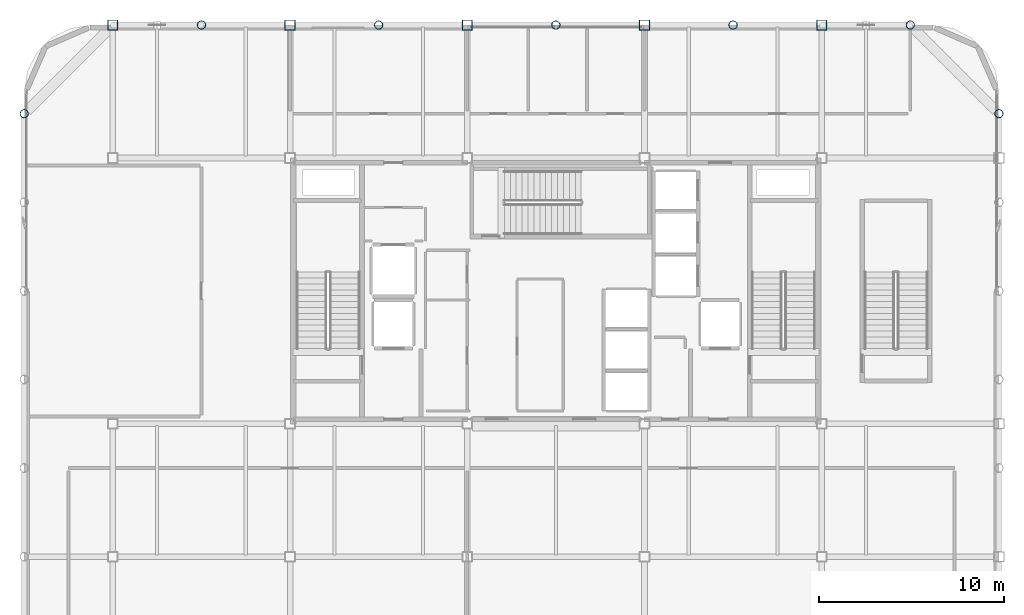
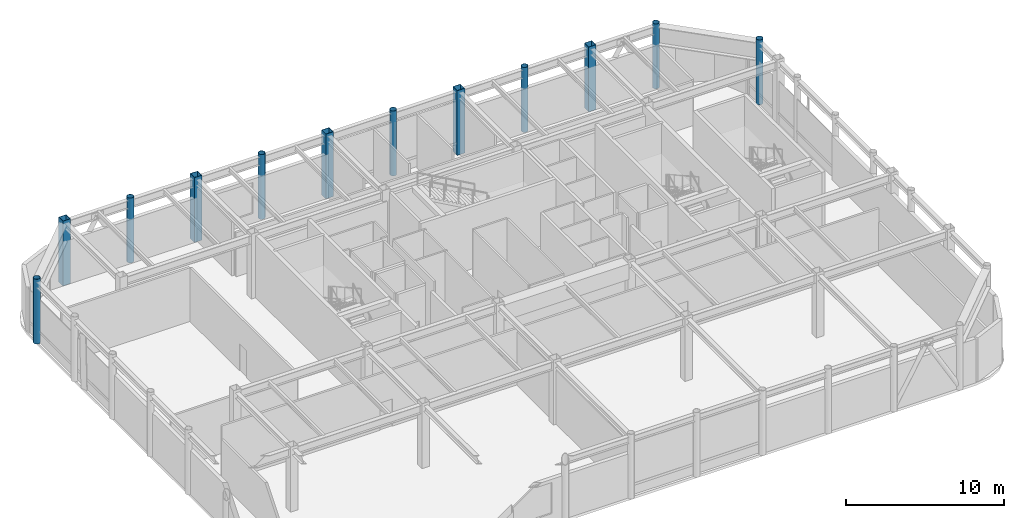
# One storey, part 3 of 21: 12 columns.
"""IFC4 building model written with IfcOpenShell, lengths in metres."""

from ifc_helpers import new_model, si_unit, direction, frame, origin, origin_2d, place, context, subcontext, project, spatial, hollow_rectangle, hollow_circle, extrude, material, material_profile, profile_set, type_object, element, save


model = new_model("IFC4")

# Units and contexts
model_context = context("Model", 3, precision=1e-05, world=origin(), true_north=direction((0.0, 1.0)))
body_context = subcontext(model_context, "Body", "Model", "MODEL_VIEW")
ifc_project = project(units=[si_unit("LENGTHUNIT", "METRE"), si_unit("AREAUNIT", "SQUARE_METRE"), si_unit("VOLUMEUNIT", "CUBIC_METRE"), si_unit("PLANEANGLEUNIT", "RADIAN"), si_unit("MASSUNIT", "GRAM", prefix="KILO")], contexts=[model_context])

# Site, building, storey
site_placement = place(None, origin())
site = spatial("IfcSite", under=ifc_project, at=site_placement, CompositionType="ELEMENT")
building_placement = place(site_placement, origin())
building = spatial("IfcBuilding", under=site, at=building_placement, Name="Kallvorn Hotel Tower", CompositionType="ELEMENT")
storey_placement = place(building_placement, frame((0.0, 0.0, 290.60009765625)))
storey = spatial("IfcBuildingStorey", under=building, at=storey_placement, Name="L72", CompositionType="ELEMENT", Elevation=290.60009765625)

# Columns
ifc_material_1 = material(Name="Structural steel S355J2H", Category="steel")
ifc_material_profile_1 = material_profile(ifc_material_1, hollow_circle(Radius=0.228515625, WallThickness=0.02001953125, at=origin_2d()), Name="CHS 457x20")
ifc_profile_set_1 = profile_set([ifc_material_profile_1], Name="Structural steel S355J2H")
column_type_1 = type_object("IfcColumnType", Name="COL_CHS_457", PredefinedType="COLUMN", material=ifc_profile_set_1)
for number, where, z_axis, x_axis, name in (
    (1, (-28.800048828125, 9.60009765625, 0.0), (0.0, 0.0, 1.0), (1.0, 0.0, 0.0), "L72 Exoskeleton Column EC07"),
    (2, (-19.199951171875, 14.39990234375, 0.0), (0.0, 0.0, 1.0), (1.0, 0.0, 0.0), "L72 Exoskeleton Column EC10"),
    (3, (-9.60009765625, 14.39990234375, 0.0), (0.0, 0.0, 1.0), (1.0, 0.0, 0.0), "L72 Exoskeleton Column EC13"),
    (4, (0.0, 14.39990234375, 0.0), (0.0, 0.0, 1.0), (1.0, 0.0, 0.0), "L72 Exoskeleton Column EC16"),
    (5, (9.60009765625, 14.39990234375, 0.0), (0.0, 0.0, 1.0), (1.0, 0.0, 0.0), "L72 Exoskeleton Column EC19"),
    (6, (19.199951171875, 14.39990234375, 0.0), (0.0, 0.0, 1.0), (1.0, 0.0, 0.0), "L72 Exoskeleton Column EC22"),
    (7, (24.0, 9.60009765625, 0.0), (0.0, 0.0, 1.0), (1.0, 0.0, 0.0), "L72 Exoskeleton Column EC28"),
):
    element("IfcColumn", number, at=place(storey_placement, frame(where, z_axis=z_axis, x_axis=x_axis)), inside=storey, type_object=column_type_1, Name=name, PredefinedType="COLUMN", context=body_context, shape_type="SweptSolid", body=[
        extrude(hollow_circle(Radius=0.228515625, WallThickness=0.02001953125, at=origin_2d()), origin(), (0.0, 0.0, 1.0), 5.0),
    ])
ifc_material_2 = material(Name="Structural steel S355J2H", Category="steel")
ifc_material_profile_2 = material_profile(ifc_material_2, hollow_rectangle(XDim=0.550048828125, YDim=0.550048828125, WallThickness=0.02490234375, at=origin_2d()), Name="RHS 550x550x25")
ifc_profile_set_2 = profile_set([ifc_material_profile_2], Name="Structural steel S355J2H")
column_type_2 = type_object("IfcColumnType", Name="COL_RHS_550", PredefinedType="COLUMN", material=ifc_profile_set_2)
for number, where, z_axis, x_axis, name in (
    (8, (-24.0, 14.39990234375, 0.0), (0.0, 0.0, 1.0), (1.0, 0.0, 0.0), "L72 Inner Column IC04"),
    (9, (-14.39990234375, 14.39990234375, 0.0), (0.0, 0.0, 1.0), (1.0, 0.0, 0.0), "L72 Inner Column IC08"),
    (10, (-4.800048828125, 14.39990234375, 0.0), (0.0, 0.0, 1.0), (1.0, 0.0, 0.0), "L72 Inner Column IC12"),
    (11, (4.800048828125, 14.39990234375, 0.0), (0.0, 0.0, 1.0), (1.0, 0.0, 0.0), "L72 Inner Column IC16"),
    (12, (14.39990234375, 14.39990234375, 0.0), (0.0, 0.0, 1.0), (1.0, 0.0, 0.0), "L72 Inner Column IC20"),
):
    element("IfcColumn", number, at=place(storey_placement, frame(where, z_axis=z_axis, x_axis=x_axis)), inside=storey, type_object=column_type_2, Name=name, PredefinedType="COLUMN", context=body_context, shape_type="SweptSolid", body=[
        extrude(hollow_rectangle(XDim=0.550048828125, YDim=0.550048828125, WallThickness=0.02490234375, at=origin_2d()), origin(), (0.0, 0.0, 1.0), 5.0),
    ])

save(model, "model.ifc")
